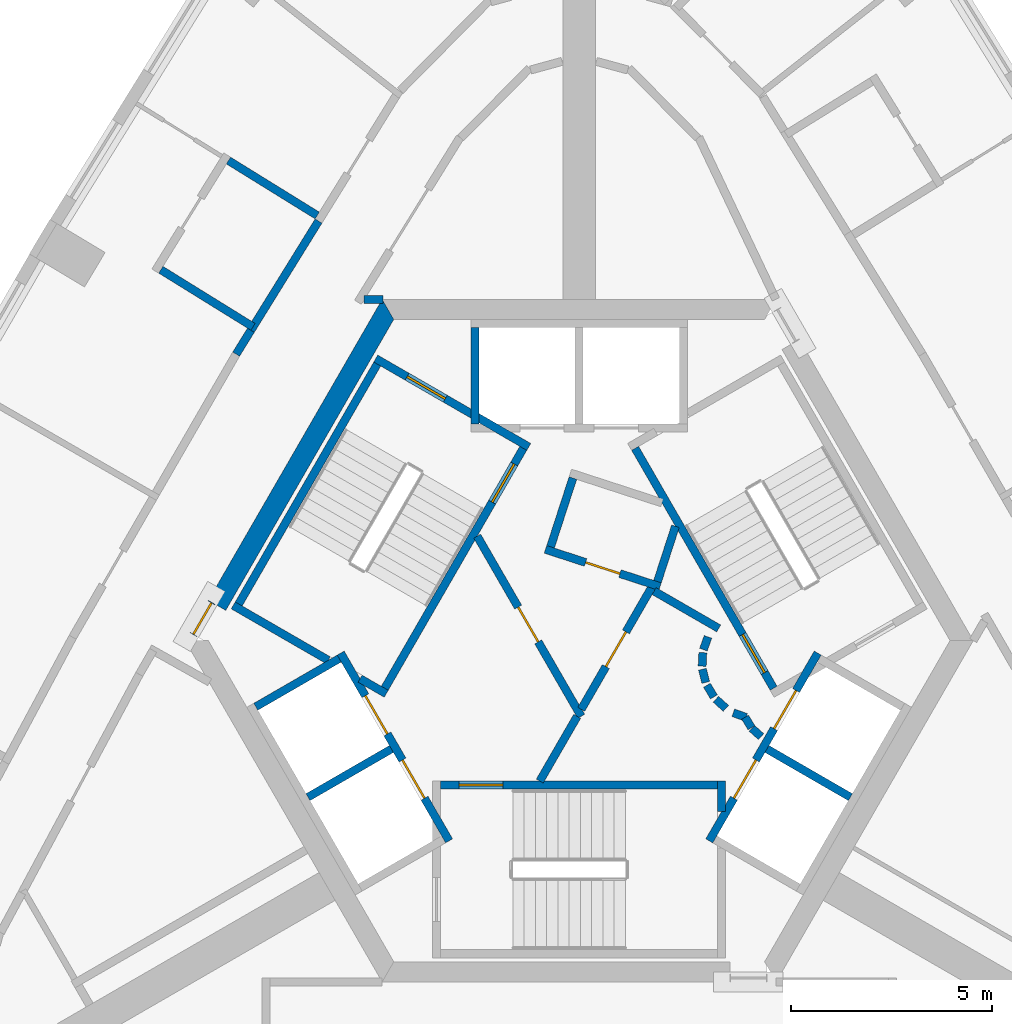
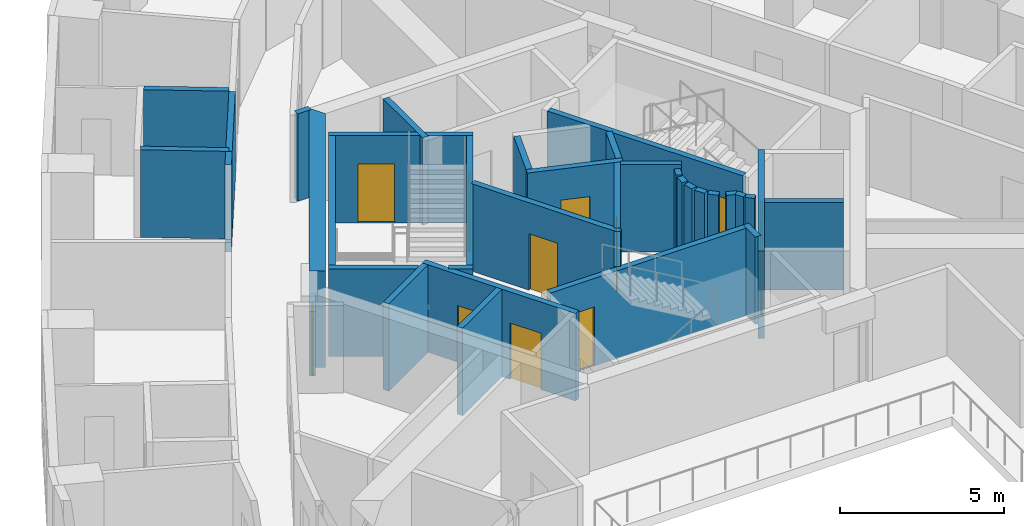
# One storey, part 5 of 11: 36 walls, 12 doors, 12 openings.
"""IFC4 building model written with IfcOpenShell, lengths in metres."""

from ifc_helpers import new_model, si_unit, direction, frame, frame_2d, origin, place, context, subcontext, project, spatial, polyline, rectangle, outline, extrude, material, layer, layer_set, type_object, element, fill, save


model = new_model("IFC4")

# Units and contexts
model_context = context("Model", 3, precision=1e-05, world=origin(), true_north=direction((0.0, 1.0)))
body_context = subcontext(model_context, "Body", "Model", "MODEL_VIEW")
ifc_project = project(units=[si_unit("LENGTHUNIT", "METRE"), si_unit("AREAUNIT", "SQUARE_METRE"), si_unit("VOLUMEUNIT", "CUBIC_METRE"), si_unit("PLANEANGLEUNIT", "RADIAN"), si_unit("MASSUNIT", "GRAM", prefix="KILO")], contexts=[model_context])

# Site, building, storey
site_placement = place(None, origin())
site = spatial("IfcSite", under=ifc_project, at=site_placement, CompositionType="ELEMENT")
building_placement = place(site_placement, origin())
building = spatial("IfcBuilding", under=site, at=building_placement, Name="Entoto Arch Interchange Tower", CompositionType="ELEMENT")
storey_placement = place(building_placement, frame((0.0, 0.0, 297.199951171875)))
storey = spatial("IfcBuildingStorey", under=building, at=storey_placement, Name="L69", CompositionType="ELEMENT", Elevation=297.199951171875)

# Wall, opening, door
ifc_material_1 = material(Name="Reinforced concrete C40/50", Category="concrete")
ifc_layer_1 = layer(ifc_material_1, 0.199951171875)
ifc_layer_set_1 = layer_set([ifc_layer_1], Name="Reinforced concrete C40/50")
wall_type_1 = type_object("IfcWallType", Name="CORE GAP INFILL WALL", PredefinedType="PARTITIONING", material=ifc_layer_set_1)
wall_1_placement = place(storey_placement, frame((-9.14990234375, 3.451904296875, 0.0), z_axis=(0.0, 0.0, 1.0), x_axis=(-0.500079945886, -0.865979242085, 0.0)))
wall_1 = element("IfcWall", 1, at=wall_1_placement, inside=storey, type_object=wall_type_1, Name="wall:L69:gap3", PredefinedType="PARTITIONING", context=body_context, shape_type="SweptSolid", body=[
    extrude(rectangle(XDim=0.926025390625, YDim=0.199951171875, at=frame_2d((0.462890625, 0.0))), origin(), (0.0, 0.0, 1.0), 2.400146484375),
])
opening_1_placement = place(wall_1_placement, frame((0.01708984375, 0.0, 0.0)))
opening_1 = element("IfcOpeningElement", 2, at=opening_1_placement, cuts=wall_1, Name="Opening L69-D93", PredefinedType="OPENING", context=body_context, shape_type="SweptSolid", body=[
    extrude(rectangle(XDim=0.89990234375, YDim=2.10009765625, at=frame_2d((0.449951171875, 1.050048828125))), frame((0.0, 0.10986328125, 0.0), z_axis=(0.0, -1.0, 0.0), x_axis=(1.0, 0.0, 0.0)), (0.0, 0.0, 1.0), 0.219970703125),
])
ifc_material_2 = material(Name="Fire-rated Steel S235 door and frame", Category="steel")
door_type_1 = type_object("IfcDoorType", Name="DOOR FD-09 900x2100", OperationType="SINGLE_SWING_LEFT", PredefinedType="DOOR", material=ifc_material_2)
door_1_placement = place(opening_1_placement, origin())
door_1 = element("IfcDoor", 3, at=door_1_placement, inside=storey, type_object=door_type_1, Name="door:L69:gap3", OperationType="SINGLE_SWING_LEFT", OverallHeight=2.10009765625, OverallWidth=0.89990234375, PredefinedType="DOOR", context=body_context, shape_type="SweptSolid", body=[
    extrude(rectangle(XDim=0.89990234375, YDim=2.10009765625, at=frame_2d((0.449951171875, 1.050048828125))), frame((0.0, 0.02490234375, 0.0), z_axis=(0.0, -1.0, 0.0), x_axis=(1.0, 0.0, 0.0)), (0.0, 0.0, 1.0), 0.050048828125),
])
fill(opening_1, door_1)

# Walls
ifc_material_3 = material(Name="Concrete C40/50", Category="concrete")
ifc_layer_2 = layer(ifc_material_3, 0.5)
ifc_layer_set_2 = layer_set([ifc_layer_2], Name="Concrete C40/50")
wall_type_2 = type_object("IfcWallType", Name="Core wall 500 C40/50", PredefinedType="SHEAR", material=ifc_layer_set_2)
wall_2_placement = place(storey_placement, frame((0.0, 0.0, -0.33984375)))
element("IfcWall", 4, at=wall_2_placement, inside=storey, type_object=wall_type_2, Name="Core wall NW L69", PredefinedType="SHEAR", context=body_context, shape_type="SweptSolid", body=[
    extrude(outline(polyline([(-9.236083984375, 3.501953125), (-8.802978515625, 3.2529296875), (-4.618896484375, 10.5), (-4.906982421875, 11.0), (-9.236083984375, 3.501953125)])), origin(), (0.0, 0.0, 1.0), 3.599853515625),
])
ifc_layer_3 = layer(ifc_material_3, 0.199951171875)
ifc_layer_set_3 = layer_set([ifc_layer_3], Name="Concrete C40/50")
wall_type_3 = type_object("IfcWallType", Name="LIFT SHAFT WALL 200", PredefinedType="STANDARD", material=ifc_layer_set_3)
wall_3_placement = place(storey_placement, frame((-2.60009765625, 7.89990234375, 0.0), z_axis=(0.0, 0.0, 1.0), x_axis=(0.0, 1.0, 0.0)))
element("IfcWall", 5, at=wall_3_placement, inside=storey, type_object=wall_type_3, Name="Shaft wall N1 cross 3", PredefinedType="STANDARD", context=body_context, shape_type="SweptSolid", body=[
    extrude(rectangle(XDim=2.400146484375, YDim=0.199951171875, at=frame_2d((1.2001953125, 0.0))), origin(), (0.0, 0.0, 1.0), 3.260009765625),
])

# Wall, openings, doors
wall_4_placement = place(storey_placement, frame((-5.93994140625, 2.18798828125, 0.0), z_axis=(0.0, 0.0, 1.0), x_axis=(0.500034260056, -0.866005622828, 0.0)))
wall_4 = element("IfcWall", 6, at=wall_4_placement, inside=storey, type_object=wall_type_3, Name="Shaft wall SW1 front", PredefinedType="STANDARD", context=body_context, shape_type="SweptSolid", body=[
    extrude(rectangle(XDim=5.3994140625, YDim=0.199951171875, at=frame_2d((2.69970703125, 0.0))), origin(), (0.0, 0.0, 1.0), 3.260009765625),
])
opening_2_placement = place(wall_4_placement, frame((3.074951171875, 0.0, 0.0)))
opening_2 = element("IfcOpeningElement", 7, at=opening_2_placement, cuts=wall_4, Name="Opening LD-HR4-L69", PredefinedType="OPENING", context=body_context, shape_type="SweptSolid", body=[
    extrude(rectangle(XDim=1.10009765625, YDim=2.10009765625, at=frame_2d((0.550048828125, 1.050048828125))), frame((0.0, 0.10986328125, 0.0), z_axis=(0.0, -1.0, 0.0), x_axis=(1.0, 0.0, 0.0)), (0.0, 0.0, 1.0), 0.219970703125),
])
opening_3_placement = place(wall_4_placement, frame((1.22509765625, 0.0, 0.0)))
opening_3 = element("IfcOpeningElement", 8, at=opening_3_placement, cuts=wall_4, Name="Opening LD-FF2-L69", PredefinedType="OPENING", context=body_context, shape_type="SweptSolid", body=[
    extrude(rectangle(XDim=1.10009765625, YDim=2.10009765625, at=frame_2d((0.550048828125, 1.050048828125))), frame((0.0, 0.10986328125, 0.0), z_axis=(0.0, -1.0, 0.0), x_axis=(1.0, 0.0, 0.0)), (0.0, 0.0, 1.0), 0.219970703125),
])
ifc_material_4 = material(Name="Stainless steel 1.4301 panels", Category="steel")
door_type_2 = type_object("IfcDoorType", Name="LIFT LANDING DOOR LD1 1100x2100", OperationType="SLIDING_TO_LEFT", PredefinedType="DOOR", material=ifc_material_4)
door_2_placement = place(opening_2_placement, origin())
door_2 = element("IfcDoor", 9, at=door_2_placement, inside=storey, type_object=door_type_2, Name="Lift landing door HR4 L69", OperationType="SLIDING_TO_LEFT", OverallHeight=2.10009765625, OverallWidth=1.10009765625, PredefinedType="DOOR", context=body_context, shape_type="SweptSolid", body=[
    extrude(rectangle(XDim=1.10009765625, YDim=2.10009765625, at=frame_2d((0.550048828125, 1.050048828125))), frame((0.0, 0.02490234375, 0.0), z_axis=(0.0, -1.0, 0.0), x_axis=(1.0, 0.0, 0.0)), (0.0, 0.0, 1.0), 0.050048828125),
])
fill(opening_2, door_2)
door_3_placement = place(opening_3_placement, origin())
door_3 = element("IfcDoor", 10, at=door_3_placement, inside=storey, type_object=door_type_2, Name="Lift landing door FF2 L69", OperationType="SLIDING_TO_LEFT", OverallHeight=2.10009765625, OverallWidth=1.10009765625, PredefinedType="DOOR", context=body_context, shape_type="SweptSolid", body=[
    extrude(rectangle(XDim=1.10009765625, YDim=2.10009765625, at=frame_2d((0.550048828125, 1.050048828125))), frame((0.0, 0.02490234375, 0.0), z_axis=(0.0, -1.0, 0.0), x_axis=(1.0, 0.0, 0.0)), (0.0, 0.0, 1.0), 0.050048828125),
])
fill(opening_3, door_3)

# Walls
for number, where, z_axis, x_axis, name in (
    (11, (-5.97705078125, 2.052001953125, 0.0), (0.0, 0.0, 1.0), (-0.865973769406, -0.500089422704, 0.0), "Shaft wall SW1 cross 1"),
    (12, (-4.677001953125, -0.199951171875, 0.0), (0.0, 0.0, 1.0), (-0.865973769406, -0.500089422704, 0.0), "Shaft wall SW1 cross 2"),
):
    element("IfcWall", number, at=place(storey_placement, frame(where, z_axis=z_axis, x_axis=x_axis)), inside=storey, type_object=wall_type_3, Name=name, PredefinedType="STANDARD", context=body_context, shape_type="SweptSolid", body=[
        extrude(rectangle(XDim=2.3994140625, YDim=0.199951171875, at=frame_2d((1.19970703125, 0.0))), origin(), (0.0, 0.0, 1.0), 3.260009765625),
    ])

# Wall, openings, doors
wall_5_placement = place(storey_placement, frame((3.239990234375, -2.488037109375, 0.0), z_axis=(0.0, 0.0, 1.0), x_axis=(0.500034260056, 0.866005622828, 0.0)))
wall_5 = element("IfcWall", 13, at=wall_5_placement, inside=storey, type_object=wall_type_3, Name="Shaft wall SE1 front", PredefinedType="STANDARD", context=body_context, shape_type="SweptSolid", body=[
    extrude(rectangle(XDim=5.3994140625, YDim=0.199951171875, at=frame_2d((2.69970703125, 0.0))), origin(), (0.0, 0.0, 1.0), 3.260009765625),
])
opening_4_placement = place(wall_5_placement, frame((3.22509765625, 0.0, 0.0)))
opening_4 = element("IfcOpeningElement", 14, at=opening_4_placement, cuts=wall_5, Name="Opening LD-HR3-L69", PredefinedType="OPENING", context=body_context, shape_type="SweptSolid", body=[
    extrude(rectangle(XDim=1.10009765625, YDim=2.10009765625, at=frame_2d((0.550048828125, 1.050048828125))), frame((0.0, 0.10986328125, 0.0), z_axis=(0.0, -1.0, 0.0), x_axis=(1.0, 0.0, 0.0)), (0.0, 0.0, 1.0), 0.219970703125),
])
opening_5_placement = place(wall_5_placement, frame((1.22509765625, 0.0, 0.0)))
opening_5 = element("IfcOpeningElement", 15, at=opening_5_placement, cuts=wall_5, Name="Opening LD-FF1-L69", PredefinedType="OPENING", context=body_context, shape_type="SweptSolid", body=[
    extrude(rectangle(XDim=1.10009765625, YDim=2.10009765625, at=frame_2d((0.550048828125, 1.050048828125))), frame((0.0, 0.10986328125, 0.0), z_axis=(0.0, -1.0, 0.0), x_axis=(1.0, 0.0, 0.0)), (0.0, 0.0, 1.0), 0.219970703125),
])
door_4_placement = place(opening_4_placement, origin())
door_4 = element("IfcDoor", 16, at=door_4_placement, inside=storey, type_object=door_type_2, Name="Lift landing door HR3 L69", OperationType="SLIDING_TO_LEFT", OverallHeight=2.10009765625, OverallWidth=1.10009765625, PredefinedType="DOOR", context=body_context, shape_type="SweptSolid", body=[
    extrude(rectangle(XDim=1.10009765625, YDim=2.10009765625, at=frame_2d((0.550048828125, 1.050048828125))), frame((0.0, 0.02490234375, 0.0), z_axis=(0.0, -1.0, 0.0), x_axis=(1.0, 0.0, 0.0)), (0.0, 0.0, 1.0), 0.050048828125),
])
fill(opening_4, door_4)
door_5_placement = place(opening_5_placement, origin())
door_5 = element("IfcDoor", 17, at=door_5_placement, inside=storey, type_object=door_type_2, Name="Lift landing door FF1 L69", OperationType="SLIDING_TO_LEFT", OverallHeight=2.10009765625, OverallWidth=1.10009765625, PredefinedType="DOOR", context=body_context, shape_type="SweptSolid", body=[
    extrude(rectangle(XDim=1.10009765625, YDim=2.10009765625, at=frame_2d((0.550048828125, 1.050048828125))), frame((0.0, 0.02490234375, 0.0), z_axis=(0.0, -1.0, 0.0), x_axis=(1.0, 0.0, 0.0)), (0.0, 0.0, 1.0), 0.050048828125),
])
fill(opening_5, door_5)

# Walls
wall_6_placement = place(storey_placement, frame((4.677001953125, -0.199951171875, 0.0), z_axis=(0.0, 0.0, 1.0), x_axis=(0.865973769406, -0.500089422704, 0.0)))
element("IfcWall", 18, at=wall_6_placement, inside=storey, type_object=wall_type_3, Name="Shaft wall SE1 cross 2", PredefinedType="STANDARD", context=body_context, shape_type="SweptSolid", body=[
    extrude(rectangle(XDim=2.3994140625, YDim=0.199951171875, at=frame_2d((1.19970703125, 0.0))), origin(), (0.0, 0.0, 1.0), 3.260009765625),
])
ifc_material_5 = material(Name="Gypsum board partition on steel studs", Category="steel")
ifc_layer_4 = layer(ifc_material_5, 0.199951171875)
ifc_layer_set_4 = layer_set([ifc_layer_4], Name="Gypsum board partition on steel studs")
wall_type_4 = type_object("IfcWallType", Name="PARTITION 200", PredefinedType="PARTITIONING", material=ifc_layer_set_4)
wall_7_placement = place(storey_placement, frame((-0.156982421875, 6.547119140625, 0.0), z_axis=(0.0, 0.0, 1.0), x_axis=(-0.308813127339, -0.951122732555, 0.0)))
element("IfcWall", 19, at=wall_7_placement, inside=storey, type_object=wall_type_4, Name="wall:L69:p002", PredefinedType="PARTITIONING", context=body_context, shape_type="SweptSolid", body=[
    extrude(rectangle(XDim=1.800048828125, YDim=0.199951171875, at=frame_2d((0.89990234375, 0.0))), origin(), (0.0, 0.0, 1.0), 3.260009765625),
])

# Wall, opening, door
wall_8_placement = place(storey_placement, frame((-0.839111328125, 4.77099609375, 0.0), z_axis=(0.0, 0.0, 1.0), x_axis=(0.950961084355, -0.309310549515, 0.0)))
wall_8 = element("IfcWall", 20, at=wall_8_placement, inside=storey, type_object=wall_type_4, Name="wall:L69:p003", PredefinedType="PARTITIONING", context=body_context, shape_type="SweptSolid", body=[
    extrude(rectangle(XDim=3.000244140625, YDim=0.199951171875, at=frame_2d((1.5, 0.0))), origin(), (0.0, 0.0, 1.0), 3.260009765625),
])
opening_6_placement = place(wall_8_placement, frame((1.050048828125, 0.0, 0.0)))
opening_6 = element("IfcOpeningElement", 21, at=opening_6_placement, cuts=wall_8, Name="Opening L69-D34", PredefinedType="OPENING", context=body_context, shape_type="SweptSolid", body=[
    extrude(rectangle(XDim=0.89990234375, YDim=2.10009765625, at=frame_2d((0.449951171875, 1.050048828125))), frame((0.0, 0.10986328125, 0.0), z_axis=(0.0, -1.0, 0.0), x_axis=(1.0, 0.0, 0.0)), (0.0, 0.0, 1.0), 0.219970703125),
])
ifc_material_6 = material(Name="Timber door leaf in Steel S235 frame", Category="steel")
door_type_3 = type_object("IfcDoorType", Name="DOOR DS-09 900x2100", OperationType="SINGLE_SWING_LEFT", PredefinedType="DOOR", material=ifc_material_6)
door_6_placement = place(opening_6_placement, origin())
door_6 = element("IfcDoor", 22, at=door_6_placement, inside=storey, type_object=door_type_3, Name="door:L69:34", OperationType="SINGLE_SWING_LEFT", OverallHeight=2.10009765625, OverallWidth=0.89990234375, PredefinedType="DOOR", context=body_context, shape_type="SweptSolid", body=[
    extrude(rectangle(XDim=0.89990234375, YDim=2.10009765625, at=frame_2d((0.449951171875, 1.050048828125))), frame((0.0, 0.02490234375, 0.0), z_axis=(0.0, -1.0, 0.0), x_axis=(1.0, 0.0, 0.0)), (0.0, 0.0, 1.0), 0.050048828125),
])
fill(opening_6, door_6)

# Walls
wall_9_placement = place(storey_placement, frame((1.949951171875, 3.969970703125, 0.0), z_axis=(0.0, 0.0, 1.0), x_axis=(0.308583003896, 0.951197418892, 0.0)))
element("IfcWall", 23, at=wall_9_placement, inside=storey, type_object=wall_type_4, Name="wall:L69:p004", PredefinedType="PARTITIONING", context=body_context, shape_type="SweptSolid", body=[
    extrude(rectangle(XDim=1.44873046875, YDim=0.199951171875, at=frame_2d((0.724365234375, 0.0))), origin(), (0.0, 0.0, 1.0), 3.260009765625),
])
wall_10_placement = place(storey_placement, frame((-5.363037109375, 11.0009765625, 0.0), z_axis=(0.0, 0.0, 1.0), x_axis=(1.0, 0.0, 0.0)))
element("IfcWall", 24, at=wall_10_placement, inside=storey, type_object=wall_type_4, Name="wall:L69:p011", PredefinedType="PARTITIONING", context=body_context, shape_type="SweptSolid", body=[
    extrude(rectangle(XDim=0.47314453125, YDim=0.199951171875, at=frame_2d((0.236572265625, 0.0))), origin(), (0.0, 0.0, 1.0), 3.260009765625),
])
wall_11_placement = place(storey_placement, frame((-8.544921875, 9.634033203125, 0.0), z_axis=(0.0, 0.0, 1.0), x_axis=(0.52594604986, 0.85051793199, 0.0)))
element("IfcWall", 25, at=wall_11_placement, inside=storey, type_object=wall_type_4, Name="wall:L69:p050", PredefinedType="PARTITIONING", context=body_context, shape_type="SweptSolid", body=[
    extrude(rectangle(XDim=0.699462890625, YDim=0.199951171875, at=frame_2d((0.349609375, 0.0))), origin(), (0.0, 0.0, 1.0), 3.260009765625),
])
wall_12_placement = place(storey_placement, frame((-8.177001953125, 10.22900390625, 0.0), z_axis=(0.0, 0.0, 1.0), x_axis=(0.526504295939, 0.850172468595, 0.0)))
element("IfcWall", 26, at=wall_12_placement, inside=storey, type_object=wall_type_4, Name="wall:L69:p051", PredefinedType="PARTITIONING", context=body_context, shape_type="SweptSolid", body=[
    extrude(rectangle(XDim=3.200439453125, YDim=0.199951171875, at=frame_2d((1.60009765625, 0.0))), origin(), (0.0, 0.0, 1.0), 3.260009765625),
])
wall_13_placement = place(storey_placement, frame((-0.98193359375, -1.0, 0.0), z_axis=(0.0, 0.0, 1.0), x_axis=(0.50024047865, 0.865886518847, 0.0)))
element("IfcWall", 27, at=wall_13_placement, inside=storey, type_object=wall_type_4, Name="wall:L69:p063", PredefinedType="PARTITIONING", context=body_context, shape_type="SweptSolid", body=[
    extrude(rectangle(XDim=1.86279296875, YDim=0.199951171875, at=frame_2d((0.931396484375, 0.0))), origin(), (0.0, 0.0, 1.0), 3.260009765625),
])

# Wall, opening, door
wall_14_placement = place(storey_placement, frame((0.050048828125, 0.787109375, 0.0), z_axis=(0.0, 0.0, 1.0), x_axis=(0.499954076797, 0.866051915934, 0.0)))
wall_14 = element("IfcWall", 28, at=wall_14_placement, inside=storey, type_object=wall_type_4, Name="wall:L69:p064", PredefinedType="PARTITIONING", context=body_context, shape_type="SweptSolid", body=[
    extrude(rectangle(XDim=3.558349609375, YDim=0.199951171875, at=frame_2d((1.779296875, 0.0))), origin(), (0.0, 0.0, 1.0), 3.260009765625),
])
opening_7_placement = place(wall_14_placement, frame((1.22900390625, 0.0, 0.0)))
opening_7 = element("IfcOpeningElement", 29, at=opening_7_placement, cuts=wall_14, Name="Opening L69-D32", PredefinedType="OPENING", context=body_context, shape_type="SweptSolid", body=[
    extrude(rectangle(XDim=1.0, YDim=2.10009765625, at=frame_2d((0.5, 1.050048828125))), frame((0.0, 0.10986328125, 0.0), z_axis=(0.0, -1.0, 0.0), x_axis=(1.0, 0.0, 0.0)), (0.0, 0.0, 1.0), 0.219970703125),
])
door_type_4 = type_object("IfcDoorType", Name="DOOR FD-10 1000x2100", OperationType="SINGLE_SWING_LEFT", PredefinedType="DOOR", material=ifc_material_2)
door_7_placement = place(opening_7_placement, origin())
door_7 = element("IfcDoor", 30, at=door_7_placement, inside=storey, type_object=door_type_4, Name="door:L69:32", OperationType="SINGLE_SWING_RIGHT", OverallHeight=2.10009765625, OverallWidth=1.0, PredefinedType="DOOR", context=body_context, shape_type="SweptSolid", body=[
    extrude(rectangle(XDim=1.0, YDim=2.10009765625, at=frame_2d((0.5, 1.050048828125))), frame((0.0, 0.02490234375, 0.0), z_axis=(0.0, -1.0, 0.0), x_axis=(1.0, 0.0, 0.0)), (0.0, 0.0, 1.0), 0.050048828125),
])
fill(opening_7, door_7)

# Walls
wall_15_placement = place(storey_placement, frame((1.865966796875, 3.73193359375, 0.0), z_axis=(0.0, 0.0, 1.0), x_axis=(0.866043361281, -0.499968895414, 0.0)))
element("IfcWall", 31, at=wall_15_placement, inside=storey, type_object=wall_type_4, Name="wall:L69:p065", PredefinedType="PARTITIONING", context=body_context, shape_type="SweptSolid", body=[
    extrude(rectangle(XDim=1.85791015625, YDim=0.199951171875, at=frame_2d((0.928955078125, 0.0))), origin(), (0.0, 0.0, 1.0), 3.260009765625),
])
wall_16_placement = place(storey_placement, frame((3.2080078125, 2.592041015625, 0.0), z_axis=(0.0, 0.0, 1.0), x_axis=(-0.337388820924, -0.941365382578, 0.0)))
element("IfcWall", 32, at=wall_16_placement, inside=storey, type_object=wall_type_4, Name="wall:L69:p066", PredefinedType="PARTITIONING", context=body_context, shape_type="SweptSolid", body=[
    extrude(rectangle(XDim=0.337890625, YDim=0.199951171875, at=frame_2d((0.1689453125, 0.0))), origin(), (0.0, 0.0, 1.0), 3.260009765625),
])
wall_17_placement = place(storey_placement, frame((3.0791015625, 2.198974609375, 0.0), z_axis=(0.0, 0.0, 1.0), x_axis=(-0.047771483479, -0.998858290933, 0.0)))
element("IfcWall", 33, at=wall_17_placement, inside=storey, type_object=wall_type_4, Name="wall:L69:p067", PredefinedType="PARTITIONING", context=body_context, shape_type="SweptSolid", body=[
    extrude(rectangle(XDim=0.33740234375, YDim=0.199951171875, at=frame_2d((0.168701171875, 0.0))), origin(), (0.0, 0.0, 1.0), 3.260009765625),
])
wall_18_placement = place(storey_placement, frame((3.070068359375, 1.785888671875, 0.0), z_axis=(0.0, 0.0, 1.0), x_axis=(0.242705583207, -0.970099994784, 0.0)))
element("IfcWall", 34, at=wall_18_placement, inside=storey, type_object=wall_type_4, Name="wall:L69:p068", PredefinedType="PARTITIONING", context=body_context, shape_type="SweptSolid", body=[
    extrude(rectangle(XDim=0.337890625, YDim=0.199951171875, at=frame_2d((0.1689453125, 0.0))), origin(), (0.0, 0.0, 1.0), 3.260009765625),
])
for number, where, z_axis, x_axis, name in (
    (35, (3.181884765625, 1.387939453125, 0.0), (0.0, 0.0, 1.0), (0.512474702713, -0.85870232274, 0.0), "wall:L69:p069"),
    (36, (3.404052734375, 1.0390625, 0.0), (0.0, 0.0, 1.0), (0.740267097712, -0.672312891476, 0.0), "wall:L69:p070"),
):
    element("IfcWall", number, at=place(storey_placement, frame(where, z_axis=z_axis, x_axis=x_axis)), inside=storey, type_object=wall_type_4, Name=name, PredefinedType="PARTITIONING", context=body_context, shape_type="SweptSolid", body=[
        extrude(rectangle(XDim=0.337646484375, YDim=0.199951171875, at=frame_2d((0.1689453125, 0.0))), origin(), (0.0, 0.0, 1.0), 3.260009765625),
    ])
wall_19_placement = place(storey_placement, frame((3.837890625, 0.701904296875, 0.0), z_axis=(0.0, 0.0, 1.0), x_axis=(0.941035081519, -0.338308993895, 0.0)))
element("IfcWall", 37, at=wall_19_placement, inside=storey, type_object=wall_type_4, Name="wall:L69:p071", PredefinedType="PARTITIONING", context=body_context, shape_type="SweptSolid", body=[
    extrude(rectangle(XDim=0.3369140625, YDim=0.199951171875, at=frame_2d((0.16845703125, 0.0))), origin(), (0.0, 0.0, 1.0), 3.260009765625),
])
wall_20_placement = place(storey_placement, frame((4.132080078125, 0.593017578125, 0.0), z_axis=(0.0, 0.0, 1.0), x_axis=(0.513561617048, -0.858052717201, 0.0)))
element("IfcWall", 38, at=wall_20_placement, inside=storey, type_object=wall_type_4, Name="wall:L69:p072", PredefinedType="PARTITIONING", context=body_context, shape_type="SweptSolid", body=[
    extrude(rectangle(XDim=0.3076171875, YDim=0.199951171875, at=frame_2d((0.15380859375, 0.0))), origin(), (0.0, 0.0, 1.0), 3.260009765625),
])
wall_21_placement = place(storey_placement, frame((4.301025390625, 0.31494140625, 0.0), z_axis=(0.0, 0.0, 1.0), x_axis=(0.741798017506, -0.670623367639, 0.0)))
element("IfcWall", 39, at=wall_21_placement, inside=storey, type_object=wall_type_4, Name="wall:L69:p073", PredefinedType="PARTITIONING", context=body_context, shape_type="SweptSolid", body=[
    extrude(rectangle(XDim=0.30859375, YDim=0.199951171875, at=frame_2d((0.154296875, 0.0))), origin(), (0.0, 0.0, 1.0), 3.260009765625),
])

# Wall, opening, door
wall_22_placement = place(storey_placement, frame((-2.5400390625, 5.10009765625, 0.0), z_axis=(0.0, 0.0, 1.0), x_axis=(0.499925051871, -0.866068670783, 0.0)))
wall_22 = element("IfcWall", 40, at=wall_22_placement, inside=storey, type_object=wall_type_4, Name="wall:L69:p074", PredefinedType="PARTITIONING", context=body_context, shape_type="SweptSolid", body=[
    extrude(rectangle(XDim=5.180908203125, YDim=0.199951171875, at=frame_2d((2.59033203125, 0.0))), origin(), (0.0, 0.0, 1.0), 3.260009765625),
])
opening_8_placement = place(wall_22_placement, frame((2.0400390625, 0.0, 0.0)))
opening_8 = element("IfcOpeningElement", 41, at=opening_8_placement, cuts=wall_22, Name="Opening L69-D33", PredefinedType="OPENING", context=body_context, shape_type="SweptSolid", body=[
    extrude(rectangle(XDim=1.0, YDim=2.10009765625, at=frame_2d((0.5, 1.050048828125))), frame((0.0, 0.10986328125, 0.0), z_axis=(0.0, -1.0, 0.0), x_axis=(1.0, 0.0, 0.0)), (0.0, 0.0, 1.0), 0.219970703125),
])
door_8_placement = place(opening_8_placement, origin())
door_8 = element("IfcDoor", 42, at=door_8_placement, inside=storey, type_object=door_type_4, Name="door:L69:33", OperationType="SINGLE_SWING_RIGHT", OverallHeight=2.10009765625, OverallWidth=1.0, PredefinedType="DOOR", context=body_context, shape_type="SweptSolid", body=[
    extrude(rectangle(XDim=1.0, YDim=2.10009765625, at=frame_2d((0.5, 1.050048828125))), frame((0.0, 0.02490234375, 0.0), z_axis=(0.0, -1.0, 0.0), x_axis=(1.0, 0.0, 0.0)), (0.0, 0.0, 1.0), 0.050048828125),
])
fill(opening_8, door_8)

# Walls
wall_23_placement = place(storey_placement, frame((-6.52490234375, 13.087890625, 0.0), z_axis=(0.0, 0.0, 1.0), x_axis=(-0.850379182329, 0.526170358592, 0.0)))
element("IfcWall", 43, at=wall_23_placement, inside=storey, type_object=wall_type_4, Name="wall:L69:p116", PredefinedType="PARTITIONING", context=body_context, shape_type="SweptSolid", body=[
    extrude(rectangle(XDim=2.600341796875, YDim=0.199951171875, at=frame_2d((1.30029296875, 0.0))), origin(), (0.0, 0.0, 1.0), 3.260009765625),
])
wall_24_placement = place(storey_placement, frame((-10.419921875, 11.736083984375, 0.0), z_axis=(0.0, 0.0, 1.0), x_axis=(0.850124477172, -0.52658178217, 0.0)))
element("IfcWall", 44, at=wall_24_placement, inside=storey, type_object=wall_type_4, Name="wall:L69:p118", PredefinedType="PARTITIONING", context=body_context, shape_type="SweptSolid", body=[
    extrude(rectangle(XDim=2.70068359375, YDim=0.199951171875, at=frame_2d((1.350341796875, 0.0))), origin(), (0.0, 0.0, 1.0), 3.260009765625),
])
ifc_layer_5 = layer(ifc_material_3, 0.199951171875)
ifc_layer_set_5 = layer_set([ifc_layer_5], Name="Concrete C40/50")
wall_type_5 = type_object("IfcWallType", Name="STAIR ENCLOSURE WALL 200", PredefinedType="STANDARD", material=ifc_layer_set_5)
wall_25_placement = place(storey_placement, frame((3.550048828125, -1.0, 0.0), z_axis=(0.0, 0.0, 1.0), x_axis=(0.0, -1.0, 0.0)))
element("IfcWall", 45, at=wall_25_placement, inside=storey, type_object=wall_type_5, Name="Stair wall ST-S far return", PredefinedType="STANDARD", context=body_context, shape_type="SweptSolid", body=[
    extrude(rectangle(XDim=0.7509765625, YDim=0.199951171875, at=frame_2d((0.37548828125, 0.0))), origin(), (0.0, 0.0, 1.0), 3.260009765625),
])

# Wall, opening, door
wall_26_placement = place(storey_placement, frame((-3.449951171875, -1.10009765625, 0.0), z_axis=(0.0, 0.0, 1.0), x_axis=(1.0, 0.0, 0.0)))
wall_26 = element("IfcWall", 46, at=wall_26_placement, inside=storey, type_object=wall_type_5, Name="Stair wall ST-S hall", PredefinedType="STANDARD", context=body_context, shape_type="SweptSolid", body=[
    extrude(rectangle(XDim=6.89990234375, YDim=0.199951171875, at=frame_2d((3.449951171875, 0.0))), origin(), (0.0, 0.0, 1.0), 3.260009765625),
])
opening_9_placement = place(wall_26_placement, frame((0.449951171875, 0.0, 0.0)))
opening_9 = element("IfcOpeningElement", 47, at=opening_9_placement, cuts=wall_26, Name="Opening SD-ST-S-L69", PredefinedType="OPENING", context=body_context, shape_type="SweptSolid", body=[
    extrude(rectangle(XDim=1.10009765625, YDim=2.199951171875, at=frame_2d((0.550048828125, 1.10009765625))), frame((0.0, 0.10986328125, 0.0), z_axis=(0.0, -1.0, 0.0), x_axis=(1.0, 0.0, 0.0)), (0.0, 0.0, 1.0), 0.219970703125),
])
ifc_material_7 = material(Name="Steel S235", Category="steel")
door_type_5 = type_object("IfcDoorType", Name="STAIR DOOR SD1 1100x2200", OperationType="SINGLE_SWING_LEFT", PredefinedType="DOOR", material=ifc_material_7)
door_9_placement = place(opening_9_placement, origin())
door_9 = element("IfcDoor", 48, at=door_9_placement, inside=storey, type_object=door_type_5, Name="Stair door ST-S L69", OperationType="SINGLE_SWING_LEFT", OverallHeight=2.199951171875, OverallWidth=1.10009765625, PredefinedType="DOOR", context=body_context, shape_type="SweptSolid", body=[
    extrude(rectangle(XDim=1.10009765625, YDim=2.199951171875, at=frame_2d((0.550048828125, 1.10009765625))), frame((0.0, 0.02490234375, 0.0), z_axis=(0.0, -1.0, 0.0), x_axis=(1.0, 0.0, 0.0)), (0.0, 0.0, 1.0), 0.050048828125),
])
fill(opening_9, door_9)

wall_27_placement = place(storey_placement, frame((4.843017578125, 1.31201171875, 0.0), z_axis=(0.0, 0.0, 1.0), x_axis=(-0.499963383562, 0.866046543262, 0.0)))
wall_27 = element("IfcWall", 49, at=wall_27_placement, inside=storey, type_object=wall_type_5, Name="Stair wall ST-NE hall", PredefinedType="STANDARD", context=body_context, shape_type="SweptSolid", body=[
    extrude(rectangle(XDim=6.900390625, YDim=0.199951171875, at=frame_2d((3.4501953125, 0.0))), origin(), (0.0, 0.0, 1.0), 3.260009765625),
])
opening_10_placement = place(wall_27_placement, frame((0.449951171875, 0.0, 0.0)))
opening_10 = element("IfcOpeningElement", 50, at=opening_10_placement, cuts=wall_27, Name="Opening SD-ST-NE-L69", PredefinedType="OPENING", context=body_context, shape_type="SweptSolid", body=[
    extrude(rectangle(XDim=1.10009765625, YDim=2.199951171875, at=frame_2d((0.550048828125, 1.10009765625))), frame((0.0, 0.10986328125, 0.0), z_axis=(0.0, -1.0, 0.0), x_axis=(1.0, 0.0, 0.0)), (0.0, 0.0, 1.0), 0.219970703125),
])
door_10_placement = place(opening_10_placement, origin())
door_10 = element("IfcDoor", 51, at=door_10_placement, inside=storey, type_object=door_type_5, Name="Stair door ST-NE L69", OperationType="SINGLE_SWING_LEFT", OverallHeight=2.199951171875, OverallWidth=1.10009765625, PredefinedType="DOOR", context=body_context, shape_type="SweptSolid", body=[
    extrude(rectangle(XDim=1.10009765625, YDim=2.199951171875, at=frame_2d((0.550048828125, 1.10009765625))), frame((0.0, 0.02490234375, 0.0), z_axis=(0.0, -1.0, 0.0), x_axis=(1.0, 0.0, 0.0)), (0.0, 0.0, 1.0), 0.050048828125),
])
fill(opening_10, door_10)

wall_28_placement = place(storey_placement, frame((-1.256103515625, 7.323974609375, 0.0), z_axis=(0.0, 0.0, 1.0), x_axis=(-0.866046073146, 0.499964197906, 0.0)))
wall_28 = element("IfcWall", 52, at=wall_28_placement, inside=storey, type_object=wall_type_5, Name="Stair wall ST-NW near", PredefinedType="STANDARD", context=body_context, shape_type="SweptSolid", body=[
    extrude(rectangle(XDim=4.400146484375, YDim=0.199951171875, at=frame_2d((2.2001953125, 0.0))), origin(), (0.0, 0.0, 1.0), 3.260009765625),
])
opening_11_placement = place(wall_28_placement, frame((2.39990234375, 0.0, 0.0)))
opening_11 = element("IfcOpeningElement", 53, at=opening_11_placement, cuts=wall_28, Name="Opening SD-ST-NW-L69-E", PredefinedType="OPENING", context=body_context, shape_type="SweptSolid", body=[
    extrude(rectangle(XDim=1.10009765625, YDim=2.199951171875, at=frame_2d((0.550048828125, 1.10009765625))), frame((0.0, 0.10986328125, 0.0), z_axis=(0.0, -1.0, 0.0), x_axis=(1.0, 0.0, 0.0)), (0.0, 0.0, 1.0), 0.219970703125),
])
door_11_placement = place(opening_11_placement, origin())
door_11 = element("IfcDoor", 54, at=door_11_placement, inside=storey, type_object=door_type_5, Name="Stair door ST-NW L69 end", OperationType="SINGLE_SWING_LEFT", OverallHeight=2.199951171875, OverallWidth=1.10009765625, PredefinedType="DOOR", context=body_context, shape_type="SweptSolid", body=[
    extrude(rectangle(XDim=1.10009765625, YDim=2.199951171875, at=frame_2d((0.550048828125, 1.10009765625))), frame((0.0, 0.02490234375, 0.0), z_axis=(0.0, -1.0, 0.0), x_axis=(1.0, 0.0, 0.0)), (0.0, 0.0, 1.0), 0.050048828125),
])
fill(opening_11, door_11)

# Walls
wall_29_placement = place(storey_placement, frame((-6.25, 2.010009765625, 0.0), z_axis=(0.0, 0.0, 1.0), x_axis=(-0.86611865017, 0.499838457731, 0.0)))
element("IfcWall", 55, at=wall_29_placement, inside=storey, type_object=wall_type_5, Name="Stair wall ST-NW far", PredefinedType="STANDARD", context=body_context, shape_type="SweptSolid", body=[
    extrude(rectangle(XDim=2.73291015625, YDim=0.199951171875, at=frame_2d((1.366455078125, 0.0))), origin(), (0.0, 0.0, 1.0), 3.260009765625),
])
wall_30_placement = place(storey_placement, frame((-4.805908203125, 1.176025390625, 0.0), z_axis=(0.0, 0.0, 1.0), x_axis=(-0.866558586415, 0.499075361355, 0.0)))
element("IfcWall", 56, at=wall_30_placement, inside=storey, type_object=wall_type_5, Name="Stair wall ST-NW far return", PredefinedType="STANDARD", context=body_context, shape_type="SweptSolid", body=[
    extrude(rectangle(XDim=0.75146484375, YDim=0.199951171875, at=frame_2d((0.375732421875, 0.0))), origin(), (0.0, 0.0, 1.0), 3.260009765625),
])

# Wall, opening, door
wall_31_placement = place(storey_placement, frame((-1.39306640625, 7.2880859375, 0.0), z_axis=(0.0, 0.0, 1.0), x_axis=(-0.499963383562, -0.866046543262, 0.0)))
wall_31 = element("IfcWall", 57, at=wall_31_placement, inside=storey, type_object=wall_type_5, Name="Stair wall ST-NW hall", PredefinedType="STANDARD", context=body_context, shape_type="SweptSolid", body=[
    extrude(rectangle(XDim=6.900390625, YDim=0.199951171875, at=frame_2d((3.4501953125, 0.0))), origin(), (0.0, 0.0, 1.0), 3.260009765625),
])
opening_12_placement = place(wall_31_placement, frame((0.449951171875, 0.0, 0.0)))
opening_12 = element("IfcOpeningElement", 58, at=opening_12_placement, cuts=wall_31, Name="Opening SD-ST-NW-L69", PredefinedType="OPENING", context=body_context, shape_type="SweptSolid", body=[
    extrude(rectangle(XDim=1.10009765625, YDim=2.199951171875, at=frame_2d((0.550048828125, 1.10009765625))), frame((0.0, 0.10986328125, 0.0), z_axis=(0.0, -1.0, 0.0), x_axis=(1.0, 0.0, 0.0)), (0.0, 0.0, 1.0), 0.219970703125),
])
door_12_placement = place(opening_12_placement, origin())
door_12 = element("IfcDoor", 59, at=door_12_placement, inside=storey, type_object=door_type_5, Name="Stair door ST-NW L69", OperationType="SINGLE_SWING_LEFT", OverallHeight=2.199951171875, OverallWidth=1.10009765625, PredefinedType="DOOR", context=body_context, shape_type="SweptSolid", body=[
    extrude(rectangle(XDim=1.10009765625, YDim=2.199951171875, at=frame_2d((0.550048828125, 1.10009765625))), frame((0.0, 0.02490234375, 0.0), z_axis=(0.0, -1.0, 0.0), x_axis=(1.0, 0.0, 0.0)), (0.0, 0.0, 1.0), 0.050048828125),
])
fill(opening_12, door_12)

# Wall
wall_32_placement = place(storey_placement, frame((-5.030029296875, 9.387939453125, 0.0), z_axis=(0.0, 0.0, 1.0), x_axis=(-0.499978703459, -0.866037698999, 0.0)))
element("IfcWall", 60, at=wall_32_placement, inside=storey, type_object=wall_type_5, Name="Stair wall ST-NW back", PredefinedType="STANDARD", context=body_context, shape_type="SweptSolid", body=[
    extrude(rectangle(XDim=6.900146484375, YDim=0.199951171875, at=frame_2d((3.4501953125, 0.0))), origin(), (0.0, 0.0, 1.0), 3.260009765625),
])

save(model, "model.ifc")
